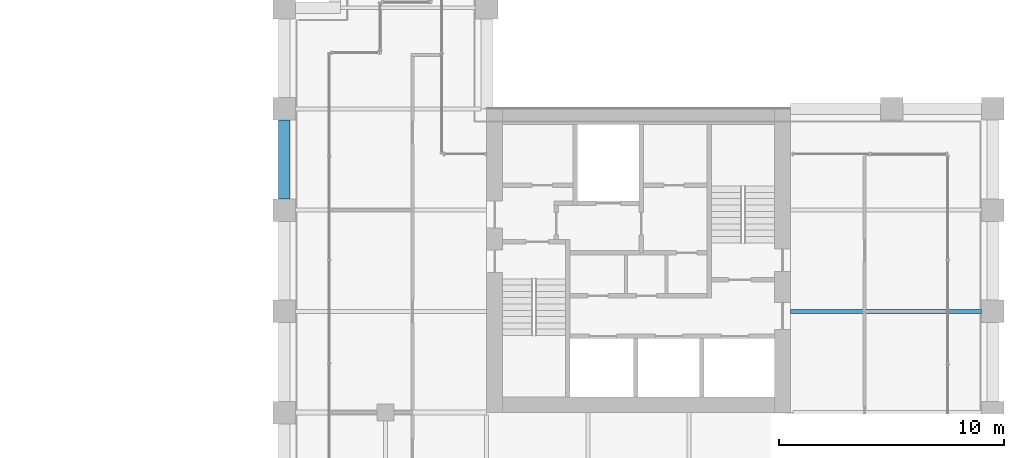
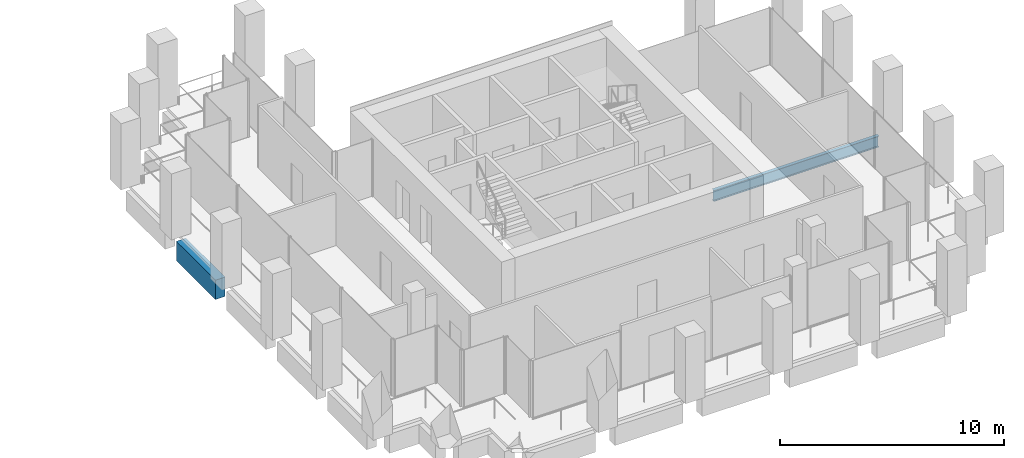
# One storey, part 33 of 46: 2 beams.
"""IFC4 building model written with IfcOpenShell, lengths in metres."""

from ifc_helpers import new_model, si_unit, direction, frame, origin, origin_2d, place, context, subcontext, project, spatial, rectangle, i_section, extrude, material, material_profile, profile_set, type_object, element, save


model = new_model("IFC4")

# Units and contexts
model_context = context("Model", 3, precision=1e-05, world=origin(), true_north=direction((0.0, 1.0)))
body_context = subcontext(model_context, "Body", "Model", "MODEL_VIEW")
ifc_project = project(units=[si_unit("LENGTHUNIT", "METRE"), si_unit("AREAUNIT", "SQUARE_METRE"), si_unit("VOLUMEUNIT", "CUBIC_METRE"), si_unit("PLANEANGLEUNIT", "RADIAN"), si_unit("MASSUNIT", "GRAM", prefix="KILO")], contexts=[model_context])

# Site, building, storey
site_placement = place(None, origin())
site = spatial("IfcSite", under=ifc_project, at=site_placement, CompositionType="ELEMENT")
building_placement = place(site_placement, origin())
building = spatial("IfcBuilding", under=site, at=building_placement, Name="Altepetl Exchange Towers", CompositionType="ELEMENT")
storey_placement = place(building_placement, frame((0.0, 0.0, 128.0)))
storey = spatial("IfcBuildingStorey", under=building, at=storey_placement, Name="L31", CompositionType="ELEMENT", Elevation=128.0)

# Beams
ifc_material_1 = material(Name="Steel S355", Category="steel")
ifc_material_profile_1 = material_profile(ifc_material_1, i_section(OverallWidth=0.177978515625, OverallDepth=0.59912109375, WebThickness=0.010009765625, FlangeThickness=0.0126953125, at=origin_2d()), Name="W24X55")
ifc_profile_set_1 = profile_set([ifc_material_profile_1], Name="Steel S355")
beam_type_1 = type_object("IfcBeamType", Name="Floor beam W24X55", PredefinedType="BEAM", material=ifc_profile_set_1)
beam_1_placement = place(storey_placement, frame((117.0, 40.5, -0.449462890625), z_axis=(1.0, 0.0, 0.0), x_axis=(0.0, 1.0, 0.0)))
element("IfcBeam", 1, at=beam_1_placement, inside=storey, type_object=beam_type_1, Name="bm:B:L31:002", PredefinedType="BEAM", context=body_context, shape_type="SweptSolid", body=[
    extrude(i_section(OverallWidth=0.177978515625, OverallDepth=0.59912109375, WebThickness=0.010009765625, FlangeThickness=0.0126953125, at=origin_2d()), origin(), (0.0, 0.0, 1.0), 8.5),
])
ifc_material_2 = material(Name="Concrete C50/60 precast with cantera rosa facing", Category="concrete")
ifc_material_profile_2 = material_profile(ifc_material_2, rectangle(XDim=0.5, YDim=1.050048828125, at=origin_2d()), Name="500 x 1050")
ifc_profile_set_2 = profile_set([ifc_material_profile_2], Name="Concrete C50/60 precast with cantera rosa facing")
beam_type_2 = type_object("IfcBeamType", Name="Spandrel beam 500x1050 cantera rosa", PredefinedType="SPANDREL", material=ifc_profile_set_2)
beam_2_placement = place(storey_placement, frame((94.5, 49.0, -0.675048828125), z_axis=(0.0, -1.0, 0.0), x_axis=(1.0, 0.0, 0.0)))
element("IfcBeam", 2, at=beam_2_placement, inside=storey, type_object=beam_type_2, Name="sp:B:L31:023", PredefinedType="SPANDREL", context=body_context, shape_type="SweptSolid", body=[
    extrude(rectangle(XDim=0.5, YDim=1.050048828125, at=origin_2d()), origin(), (0.0, 0.0, 1.0), 3.5),
])

save(model, "model.ifc")
